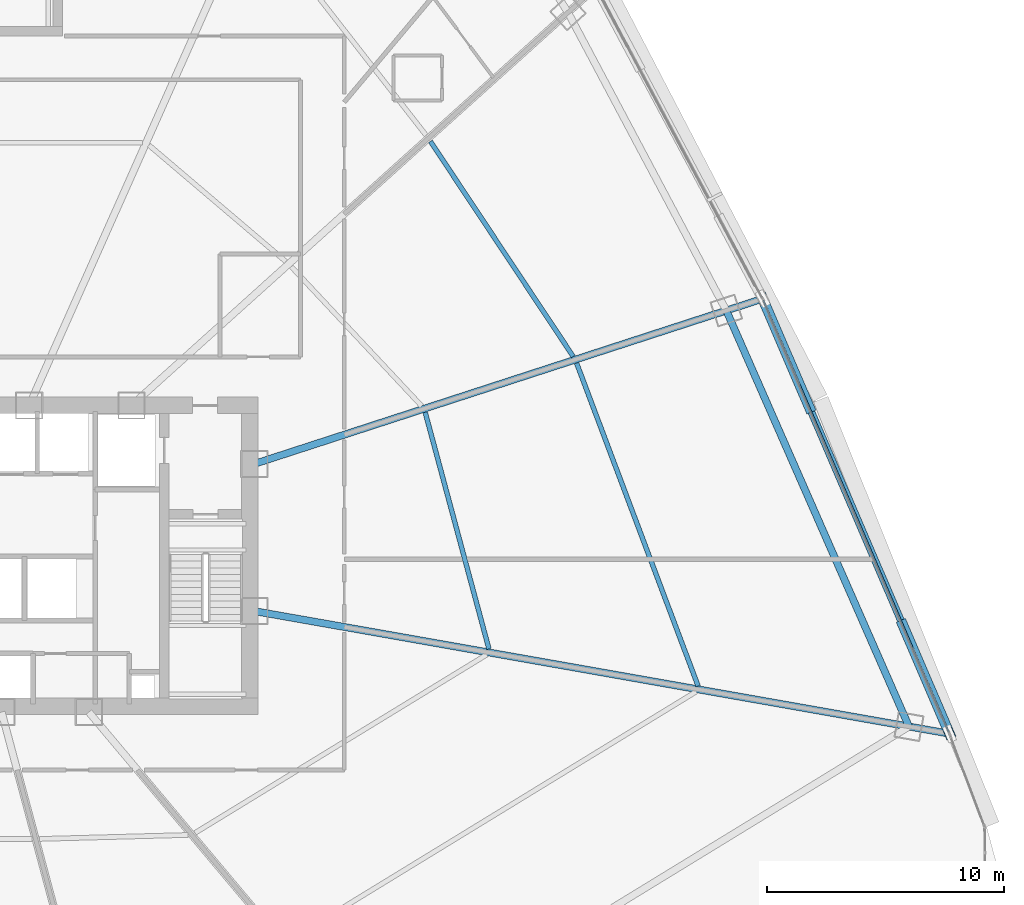
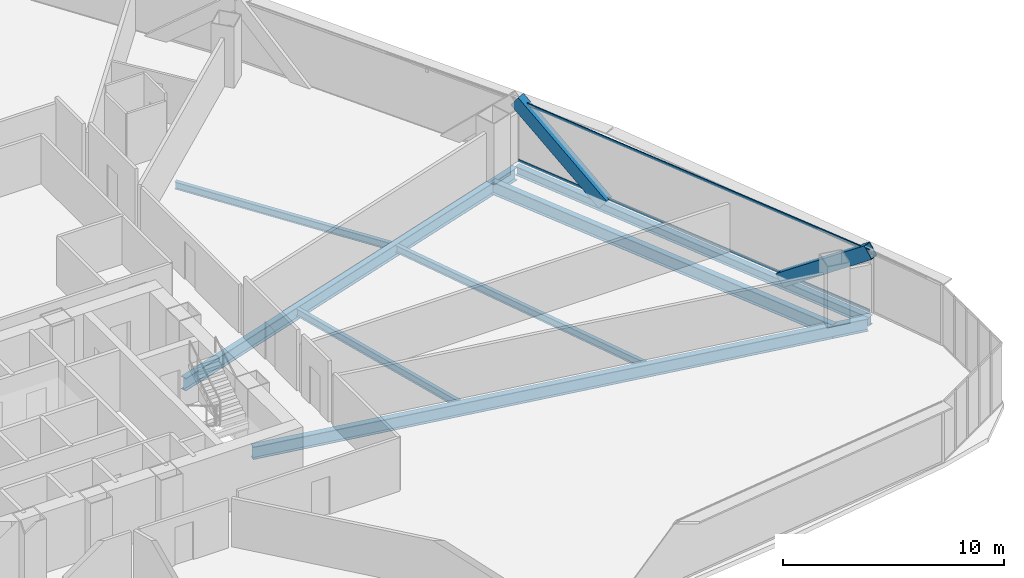
# One storey, part 24 of 42: 7 beams, 4 members, 1 element without a shape of its own.
"""IFC4 building model written with IfcOpenShell, lengths in metres."""

from ifc_helpers import new_model, si_unit, direction, frame, origin, origin_2d, place, context, subcontext, project, spatial, hollow_rectangle, i_section, extrude, source, transform, mapped, material, layer, layer_set, material_profile, profile_set, type_object, element, aggregate, save


model = new_model("IFC4")

# Units and contexts
model_context = context("Model", 3, precision=1e-05, world=origin(), true_north=direction((0.0, 1.0)))
body_context = subcontext(model_context, "Body", "Model", "MODEL_VIEW")
ifc_project = project(units=[si_unit("LENGTHUNIT", "METRE"), si_unit("AREAUNIT", "SQUARE_METRE"), si_unit("VOLUMEUNIT", "CUBIC_METRE"), si_unit("PLANEANGLEUNIT", "RADIAN"), si_unit("MASSUNIT", "GRAM", prefix="KILO"), si_unit("THERMODYNAMICTEMPERATUREUNIT", "KELVIN"), si_unit("POWERUNIT", "WATT")], contexts=[model_context])

# Site, building, storey
site_placement = place(None, origin())
site = spatial("IfcSite", under=ifc_project, at=site_placement, CompositionType="ELEMENT")
building_placement = place(site_placement, origin())
building = spatial("IfcBuilding", under=site, at=building_placement, Name="Yunzhuo Pagoda Commons", CompositionType="ELEMENT")
storey_placement = place(building_placement, frame((0.0, 0.0, 44.919921875)))
storey = spatial("IfcBuildingStorey", under=building, at=storey_placement, Name="L11", CompositionType="ELEMENT", Elevation=44.919921875)

# Beams
ifc_material_1 = material(Name="Structural steel Q355B", Category="steel")
ifc_material_profile_1 = material_profile(ifc_material_1, i_section(OverallWidth=0.300048828125, OverallDepth=0.699951171875, WebThickness=0.012939453125, FlangeThickness=0.02392578125, at=origin_2d()), Name="Structural steel Q355B")
ifc_profile_set_1 = profile_set([ifc_material_profile_1], Name="Structural steel Q355B")
beam_type_1 = type_object("IfcBeamType", Name="B-RG1 Beam HN 700x300x13x24", PredefinedType="BEAM", material=ifc_profile_set_1)
shared_shape_1 = source(origin(), body_context, "Body", "SweptSolid", [
    extrude(i_section(OverallWidth=0.300048828125, OverallDepth=0.699951171875, WebThickness=0.012939453125, FlangeThickness=0.02392578125, at=origin_2d()), origin(), (0.0, 0.0, 1.0), 19.18603515625),
])
beam_1_placement = place(storey_placement, frame((88.047607421875, 26.638427734375, -0.60986328125), z_axis=(-0.40196534204, 0.915654882474, 0.0), x_axis=(-0.915654882474, -0.40196534204, 0.0)))
element("IfcBeam", 1, at=beam_1_placement, inside=storey, type_object=beam_type_1, Name="L11 column-ring beam 5", PredefinedType="BEAM", context=body_context, shape_type="MappedRepresentation", body=[
    mapped(shared_shape_1, transform((0.0, 0.0, 0.0), scale=1.0)),
])
ifc_material_profile_2 = material_profile(ifc_material_1, i_section(OverallWidth=0.199951171875, OverallDepth=0.39990234375, WebThickness=0.008056640625, FlangeThickness=0.012939453125, at=origin_2d()), Name="Structural steel Q355B")
ifc_profile_set_2 = profile_set([ifc_material_profile_2], Name="Structural steel Q355B")
beam_type_2 = type_object("IfcBeamType", Name="B-JS1 Joist HN 400x200x8x13", PredefinedType="JOIST", material=ifc_profile_set_2)
shared_shape_2 = source(origin(), body_context, "Body", "SweptSolid", [
    extrude(i_section(OverallWidth=0.199951171875, OverallDepth=0.39990234375, WebThickness=0.008056640625, FlangeThickness=0.012939453125, at=origin_2d()), origin(), (0.0, 0.0, 1.0), 10.351806640625),
])
beam_2_placement = place(storey_placement, frame((70.311767578125, 29.912109375, -0.4599609375), z_axis=(-0.260208595802, 0.965552425646, 0.0), x_axis=(-0.965552425646, -0.260208595802, 0.0)))
element("IfcBeam", 2, at=beam_2_placement, inside=storey, type_object=beam_type_2, Name="L11 composite ring joist 1.5", PredefinedType="JOIST", context=body_context, shape_type="MappedRepresentation", body=[
    mapped(shared_shape_2, transform((0.0, 0.0, 0.0), scale=1.0)),
])
shared_shape_3 = source(origin(), body_context, "Body", "SweptSolid", [
    extrude(i_section(OverallWidth=0.199951171875, OverallDepth=0.39990234375, WebThickness=0.008056640625, FlangeThickness=0.012939453125, at=origin_2d()), origin(), (0.0, 0.0, 1.0), 14.571044921875),
])
beam_3_placement = place(storey_placement, frame((79.144287109375, 28.347412109375, -0.4599609375), z_axis=(-0.352208383632, 0.935921607027, 0.0), x_axis=(-0.935921607027, -0.352208383632, 0.0)))
element("IfcBeam", 3, at=beam_3_placement, inside=storey, type_object=beam_type_2, Name="L11 composite ring joist 2.5", PredefinedType="JOIST", context=body_context, shape_type="MappedRepresentation", body=[
    mapped(shared_shape_3, transform((0.0, 0.0, 0.0), scale=1.0)),
])
shared_shape_4 = source(origin(), body_context, "Body", "SweptSolid", [
    extrude(i_section(OverallWidth=0.199951171875, OverallDepth=0.39990234375, WebThickness=0.008056640625, FlangeThickness=0.012939453125, at=origin_2d()), origin(), (0.0, 0.0, 1.0), 10.904052734375),
])
beam_4_placement = place(storey_placement, frame((73.8681640625, 42.26611328125, -0.4599609375), z_axis=(-0.552916349928, 0.833236767061, 0.0), x_axis=(-0.833236767061, -0.552916349928, 0.0)))
element("IfcBeam", 4, at=beam_4_placement, inside=storey, type_object=beam_type_2, Name="L11 composite ring joist 2.6", PredefinedType="JOIST", context=body_context, shape_type="MappedRepresentation", body=[
    mapped(shared_shape_4, transform((0.0, 0.0, 0.0), scale=1.0)),
])
shared_shape_5 = source(origin(), body_context, "Body", "SweptSolid", [
    extrude(i_section(OverallWidth=0.300048828125, OverallDepth=0.699951171875, WebThickness=0.012939453125, FlangeThickness=0.02392578125, at=origin_2d()), origin(), (0.0, 0.0, 1.0), 29.657470703125),
])
beam_5_placement = place(storey_placement, frame((89.60693359375, 26.363525390625, -0.60986328125), z_axis=(-0.984808244815, 0.173645388492, 0.0), x_axis=(-0.173645388492, -0.984808244815, 0.0)))
element("IfcBeam", 5, at=beam_5_placement, inside=storey, type_object=beam_type_1, Name="L11 radial floor girder F2C1", PredefinedType="BEAM", context=body_context, shape_type="MappedRepresentation", body=[
    mapped(shared_shape_5, transform((0.0, 0.0, 0.0), scale=1.0)),
])
shared_shape_6 = source(origin(), body_context, "Body", "SweptSolid", [
    extrude(i_section(OverallWidth=0.300048828125, OverallDepth=0.699951171875, WebThickness=0.012939453125, FlangeThickness=0.02392578125, at=origin_2d()), origin(), (0.0, 0.0, 1.0), 22.421875),
])
beam_6_placement = place(storey_placement, frame((81.724365234375, 44.65771484375, -0.60986328125), z_axis=(-0.951056871076, -0.309015902469, 0.0), x_axis=(0.309015902469, -0.951056871076, 0.0)))
element("IfcBeam", 6, at=beam_6_placement, inside=storey, type_object=beam_type_1, Name="L11 radial floor girder F2C2", PredefinedType="BEAM", context=body_context, shape_type="MappedRepresentation", body=[
    mapped(shared_shape_6, transform((0.0, 0.0, 0.0), scale=1.0)),
])
ifc_material_profile_3 = material_profile(ifc_material_1, i_section(OverallWidth=0.300048828125, OverallDepth=0.488037109375, WebThickness=0.010986328125, FlangeThickness=0.01806640625, at=origin_2d()), Name="Structural steel Q355B")
ifc_profile_set_3 = profile_set([ifc_material_profile_3], Name="Structural steel Q355B")
beam_type_3 = type_object("IfcBeamType", Name="B-SP1 Beam HM 488x300x11x18", PredefinedType="BEAM", material=ifc_profile_set_3)
shared_shape_7 = source(origin(), body_context, "Body", "SweptSolid", [
    extrude(i_section(OverallWidth=0.300048828125, OverallDepth=0.488037109375, WebThickness=0.010986328125, FlangeThickness=0.01806640625, at=origin_2d()), origin(), (0.0, 0.0, 1.0), 19.990966796875),
])
beam_7_placement = place(storey_placement, frame((89.759765625, 26.336669921875, -0.50390625), z_axis=(-0.394586883205, 0.918858635266, 0.0), x_axis=(-0.918858635266, -0.394586883205, 0.0)))
element("IfcBeam", 7, at=beam_7_placement, inside=storey, type_object=beam_type_3, Name="L11 facade edge spandrel beam F2.1", PredefinedType="BEAM", context=body_context, shape_type="MappedRepresentation", body=[
    mapped(shared_shape_7, transform((0.0, 0.0, 0.0), scale=1.0)),
])

# Members
ifc_material_2 = material(Name="Structural steel Q420B", Category="steel")
ifc_material_profile_4 = material_profile(ifc_material_2, hollow_rectangle(XDim=0.419921875, YDim=0.719970703125, WallThickness=0.028076171875, at=origin_2d()), Name="Structural steel Q420B")
ifc_profile_set_4 = profile_set([ifc_material_profile_4], Name="Structural steel Q420B")
member_type_1 = type_object("IfcMemberType", Name="M-DL1 Brace BOX 720x420x28", PredefinedType="BRACE", material=ifc_profile_set_4)
shared_shape_8 = source(origin(), body_context, "Body", "SweptSolid", [
    extrude(hollow_rectangle(XDim=0.419921875, YDim=0.719970703125, WallThickness=0.028076171875, at=origin_2d()), origin(), (0.0, 0.0, 1.0), 6.177001953125),
])
for number, where, z_axis, x_axis, name in (
    (8, (87.78759765625, 30.928955078125, -0.260009765625), (0.319271742419, -0.743439152625, 0.587676595448), (0.918851680961, 0.394603077023, 0.0), "L11 facade diamond brace F2.1L"),
    (9, (83.843505859375, 40.11328125, -0.260009765625), (-0.319236246952, 0.743448533511, 0.587684010887), (-0.918869392168, -0.394561833096, 0.0), "L11 facade diamond brace F2.1R"),
):
    element("IfcMember", number, at=place(storey_placement, frame(where, z_axis=z_axis, x_axis=x_axis)), inside=storey, type_object=member_type_1, Name=name, PredefinedType="BRACE", context=body_context, shape_type="MappedRepresentation", body=[
        mapped(shared_shape_8, transform((0.0, 0.0, 0.0), scale=1.0)),
    ])

# Curtain wall, members
ifc_material_3 = material(Name="Anodized aluminium 6063-T6", Category="aluminium")
ifc_layer = layer(ifc_material_3, 0.1650390625)
ifc_layer_set = layer_set([ifc_layer], Name="Anodized aluminium 6063-T6")
curtain_wall_type = type_object("IfcCurtainWallType", Name="CW-LOW Low-Zone Ribbon Curtain Wall", PredefinedType="NOTDEFINED", material=ifc_layer_set)
curtain_wall_placement = place(storey_placement, origin())
curtain_wall = element("IfcCurtainWall", 10, at=curtain_wall_placement, inside=storey, type_object=curtain_wall_type, Name="L11 curtain wall CW-L11-F2B2", PredefinedType="NOTDEFINED")
ifc_material_profile_5 = material_profile(ifc_material_3, hollow_rectangle(XDim=0.06005859375, YDim=0.139892578125, WallThickness=0.00341796875, at=origin_2d()), Name="Anodized aluminium 6063-T6")
ifc_profile_set_5 = profile_set([ifc_material_profile_5], Name="Anodized aluminium 6063-T6")
member_type_2 = type_object("IfcMemberType", Name="CW-LOW-T Transom RHS 140x60x3.5", PredefinedType="USERDEFINED", material=ifc_profile_set_5)
shared_shape_9 = source(origin(), body_context, "Body", "SweptSolid", [
    extrude(hollow_rectangle(XDim=0.06005859375, YDim=0.139892578125, WallThickness=0.00341796875, at=origin_2d()), origin(), (0.0, 0.0, 1.0), 19.860595703125),
])
member_1_placement = place(storey_placement, frame((89.73388671875, 26.396484375, 0.030029296875), z_axis=(-0.39457049988, 0.918865670611, 0.0), x_axis=(-0.918865670611, -0.39457049988, 0.0)))
member_1 = element("IfcMember", 11, at=member_1_placement, type_object=member_type_2, Name="CW transom 1.1", ObjectType="TRANSOM", PredefinedType="USERDEFINED", context=body_context, shape_type="MappedRepresentation", body=[
    mapped(shared_shape_9, transform((0.0, 0.0, 0.0), scale=1.0)),
])
member_2_placement = place(storey_placement, frame((89.73388671875, 26.396484375, 3.340087890625), z_axis=(-0.39457049988, 0.918865670611, 0.0), x_axis=(-0.918865670611, -0.39457049988, 0.0)))
member_2 = element("IfcMember", 12, at=member_2_placement, type_object=member_type_2, Name="CW transom 1.2", ObjectType="TRANSOM", PredefinedType="USERDEFINED", context=body_context, shape_type="MappedRepresentation", body=[
    mapped(shared_shape_9, transform((0.0, 0.0, 0.0), scale=1.0)),
])
aggregate(curtain_wall, [member_1, member_2])

save(model, "model.ifc")
